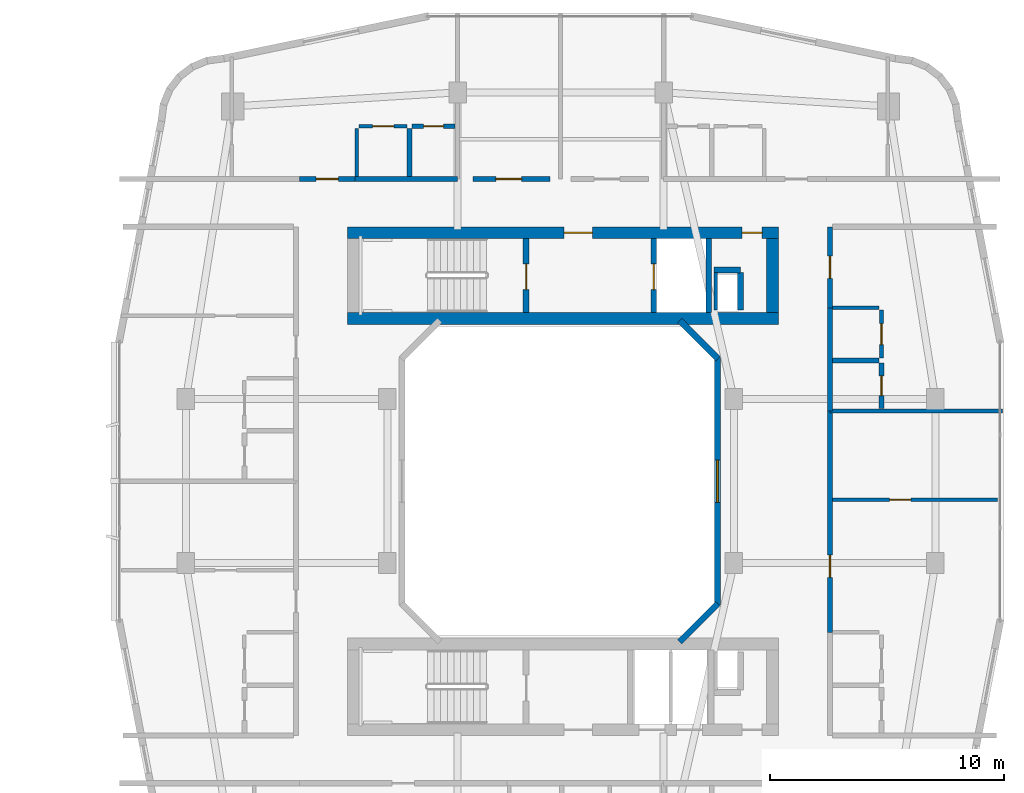
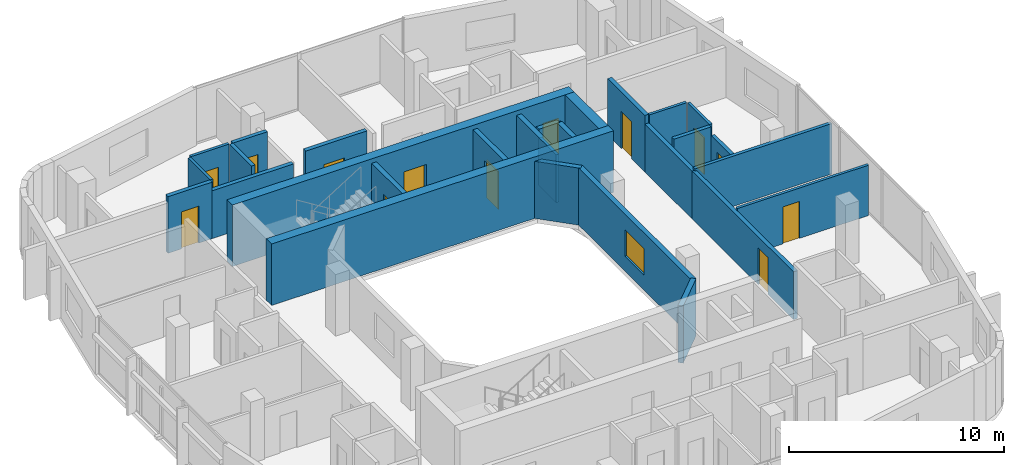
# One storey, part 19 of 26: 28 walls, 13 doors, 1 window, 14 openings.
"""IFC4 building model written with IfcOpenShell, lengths in metres."""

from ifc_helpers import new_model, si_unit, derived_unit, direction, frame, frame_2d, origin, place, context, subcontext, project, spatial, rectangle, extrude, material, layer, layer_set, type_object, element, fill, save


model = new_model("IFC4")

# Units and contexts
model_context = context("Model", 3, precision=1e-05, world=origin(), true_north=direction((0.0, 1.0)))
body_context = subcontext(model_context, "Body", "Model", "MODEL_VIEW")
ifc_project = project(units=[si_unit("LENGTHUNIT", "METRE"), si_unit("AREAUNIT", "SQUARE_METRE"), si_unit("VOLUMEUNIT", "CUBIC_METRE"), si_unit("PLANEANGLEUNIT", "RADIAN"), si_unit("MASSUNIT", "GRAM", prefix="KILO"), derived_unit("THERMALTRANSMITTANCEUNIT", [(si_unit("POWERUNIT", "WATT"), 1), (si_unit("LENGTHUNIT", "METRE"), -2), (si_unit("THERMODYNAMICTEMPERATUREUNIT", "KELVIN"), -1)])], contexts=[model_context])

# Site, building, storey
site_placement = place(None, origin())
site = spatial("IfcSite", under=ifc_project, at=site_placement, CompositionType="ELEMENT")
building_placement = place(site_placement, origin())
building = spatial("IfcBuilding", under=site, at=building_placement, Name="Kivonza Crest Hotel", CompositionType="ELEMENT")
storey_placement = place(building_placement, frame((0.0, 0.0, 66.0)))
storey = spatial("IfcBuildingStorey", under=building, at=storey_placement, Name="L17", CompositionType="ELEMENT", Elevation=66.0)

# Walls
ifc_material_1 = material(Name="High-density acoustic masonry inter-tenancy wall", Category="masonry")
ifc_layer_1 = layer(ifc_material_1, 0.179931640625)
ifc_layer_set_1 = layer_set([ifc_layer_1], Name="High-density acoustic masonry inter-tenancy wall")
wall_type_1 = type_object("IfcWallType", Name="WL-ACOU-180", PredefinedType="SOLIDWALL", material=ifc_layer_set_1)
wall_1_placement = place(storey_placement, frame((88.5, 28.0, 0.0), z_axis=(0.0, 0.0, 1.0), x_axis=(1.0, 0.0, 0.0)))
element("IfcWall", 1, at=wall_1_placement, inside=storey, type_object=wall_type_1, Name="L17 interior partition WA-L17-T2E-DIV1", PredefinedType="SOLIDWALL", context=body_context, shape_type="SweptSolid", body=[
    extrude(rectangle(XDim=7.360107421875, YDim=0.179931640625, at=frame_2d((3.68017578125, 0.0))), origin(), (0.0, 0.0, 1.0), 2.864990234375),
])
ifc_material_2 = material(Name="Autoclaved aerated concrete blockwork", Category="masonry")
ifc_layer_2 = layer(ifc_material_2, 0.219970703125)
ifc_layer_set_2 = layer_set([ifc_layer_2], Name="Autoclaved aerated concrete blockwork")
wall_type_2 = type_object("IfcWallType", Name="WL-ACOU-220", PredefinedType="SOLIDWALL", material=ifc_layer_set_2)
wall_2_placement = place(storey_placement, frame((68.219970703125, 37.89990234375, 0.0), z_axis=(0.0, 0.0, 1.0), x_axis=(1.0, 0.0, 0.0)))
element("IfcWall", 2, at=wall_2_placement, inside=storey, type_object=wall_type_2, Name="L17 interior partition WA-L17-A01-RCORR", PredefinedType="SOLIDWALL", context=body_context, shape_type="SweptSolid", body=[
    extrude(rectangle(XDim=4.380126953125, YDim=0.219970703125, at=frame_2d((2.18994140625, 0.0))), origin(), (0.0, 0.0, 1.0), 2.72509765625),
])

# Wall, opening, door
wall_3_placement = place(storey_placement, frame((65.85009765625, 37.89990234375, 0.0), z_axis=(0.0, 0.0, 1.0), x_axis=(1.0, 0.0, 0.0)))
wall_3 = element("IfcWall", 3, at=wall_3_placement, inside=storey, type_object=wall_type_2, Name="L17 interior partition WA-L17-A01-MCORR", PredefinedType="SOLIDWALL", context=body_context, shape_type="SweptSolid", body=[
    extrude(rectangle(XDim=2.369873046875, YDim=0.219970703125, at=frame_2d((1.18505859375, 0.0))), origin(), (0.0, 0.0, 1.0), 3.219970703125),
])
opening_1_placement = place(wall_3_placement, frame((0.7099609375, 0.0, 0.0)))
opening_1 = element("IfcOpeningElement", 4, at=opening_1_placement, cuts=wall_3, Name="Opening DU-60", PredefinedType="OPENING", context=body_context, shape_type="SweptSolid", body=[
    extrude(rectangle(XDim=0.949951171875, YDim=2.10009765625, at=frame_2d((0.47509765625, 1.050048828125))), frame((0.0, 0.1201171875, 0.0), z_axis=(0.0, -1.0, 0.0), x_axis=(1.0, 0.0, 0.0)), (0.0, 0.0, 1.0), 0.239990234375),
])
ifc_material_3 = material(Name="Hardwood timber oak", Category="wood")
door_type_1 = type_object("IfcDoorType", Name="DR-UNIT-950", OperationType="NOTDEFINED", PredefinedType="DOOR", material=ifc_material_3)
door_1_placement = place(opening_1_placement, origin())
door_1 = element("IfcDoor", 5, at=door_1_placement, inside=storey, type_object=door_type_1, Name="L17 A01 apartment entrance fire door", OperationType="SINGLE_SWING_LEFT", OverallHeight=2.10009765625, OverallWidth=0.949951171875, PredefinedType="DOOR", context=body_context, shape_type="SweptSolid", body=[
    extrude(rectangle(XDim=0.949951171875, YDim=2.10009765625, at=frame_2d((0.47509765625, 1.050048828125))), frame((0.0, 0.02490234375, 0.0), z_axis=(0.0, -1.0, 0.0), x_axis=(1.0, 0.0, 0.0)), (0.0, 0.0, 1.0), 0.050048828125),
])
fill(opening_1, door_1)

wall_4_placement = place(storey_placement, frame((73.25, 37.89990234375, 0.0), z_axis=(0.0, 0.0, 1.0), x_axis=(1.0, 0.0, 0.0)))
wall_4 = element("IfcWall", 6, at=wall_4_placement, inside=storey, type_object=wall_type_2, Name="L17 interior partition WA-L17-T2-OFF1-S", PredefinedType="SOLIDWALL", context=body_context, shape_type="SweptSolid", body=[
    extrude(rectangle(XDim=3.300048828125, YDim=0.219970703125, at=frame_2d((1.64990234375, 0.0))), origin(), (0.0, 0.0, 1.0), 3.219970703125),
])
opening_2_placement = place(wall_4_placement, frame((0.97998046875, 0.0, 0.0)))
opening_2 = element("IfcOpeningElement", 7, at=opening_2_placement, cuts=wall_4, Name="Opening DF-60M", PredefinedType="OPENING", context=body_context, shape_type="SweptSolid", body=[
    extrude(rectangle(XDim=1.10009765625, YDim=2.10009765625, at=frame_2d((0.550048828125, 1.050048828125))), frame((0.0, 0.1201171875, 0.0), z_axis=(0.0, -1.0, 0.0), x_axis=(1.0, 0.0, 0.0)), (0.0, 0.0, 1.0), 0.239990234375),
])
door_type_2 = type_object("IfcDoorType", Name="DR-FD60-1100", OperationType="NOTDEFINED", PredefinedType="DOOR", material=ifc_material_3)
door_2_placement = place(opening_2_placement, origin())
door_2 = element("IfcDoor", 8, at=door_2_placement, inside=storey, type_object=door_type_2, Name="L17 Resident Co-Working Study West door", OperationType="SINGLE_SWING_RIGHT", OverallHeight=2.10009765625, OverallWidth=1.10009765625, PredefinedType="DOOR", context=body_context, shape_type="SweptSolid", body=[
    extrude(rectangle(XDim=1.10009765625, YDim=2.10009765625, at=frame_2d((0.550048828125, 1.050048828125))), frame((0.0, 0.02490234375, 0.0), z_axis=(0.0, -1.0, 0.0), x_axis=(1.0, 0.0, 0.0)), (0.0, 0.0, 1.0), 0.050048828125),
])
fill(opening_2, door_2)

wall_5_placement = place(storey_placement, frame((88.5, 18.5400390625, 0.0), z_axis=(0.0, 0.0, 1.0), x_axis=(0.0, 1.0, 0.0)))
wall_5 = element("IfcWall", 9, at=wall_5_placement, inside=storey, type_object=wall_type_2, Name="L17 interior partition WA-L17-A07-MCORR", PredefinedType="SOLIDWALL", context=body_context, shape_type="SweptSolid", body=[
    extrude(rectangle(XDim=9.4599609375, YDim=0.219970703125, at=frame_2d((4.72998046875, 0.0))), origin(), (0.0, 0.0, 1.0), 2.72509765625),
])
opening_3_placement = place(wall_5_placement, frame((2.35498046875, 0.0, 0.0)))
opening_3 = element("IfcOpeningElement", 10, at=opening_3_placement, cuts=wall_5, Name="Opening DU-60", PredefinedType="OPENING", context=body_context, shape_type="SweptSolid", body=[
    extrude(rectangle(XDim=0.949951171875, YDim=2.10009765625, at=frame_2d((0.47509765625, 1.050048828125))), frame((0.0, 0.1201171875, 0.0), z_axis=(0.0, -1.0, 0.0), x_axis=(1.0, 0.0, 0.0)), (0.0, 0.0, 1.0), 0.239990234375),
])
door_3_placement = place(opening_3_placement, frame((0.949951171875, 0.0, 0.0), z_axis=(0.0, 0.0, 1.0), x_axis=(-1.0, 0.0, 0.0)))
door_3 = element("IfcDoor", 11, at=door_3_placement, inside=storey, type_object=door_type_1, Name="L17 A07 apartment entrance fire door", OperationType="SINGLE_SWING_LEFT", OverallHeight=2.10009765625, OverallWidth=0.949951171875, PredefinedType="DOOR", context=body_context, shape_type="SweptSolid", body=[
    extrude(rectangle(XDim=0.949951171875, YDim=2.10009765625, at=frame_2d((0.47509765625, 1.050048828125))), frame((0.0, 0.02490234375, 0.0), z_axis=(0.0, -1.0, 0.0), x_axis=(1.0, 0.0, 0.0)), (0.0, 0.0, 1.0), 0.050048828125),
])
fill(opening_3, door_3)

# Wall
wall_6_placement = place(storey_placement, frame((88.5, 28.0, 0.0), z_axis=(0.0, 0.0, 1.0), x_axis=(0.0, 1.0, 0.0)))
element("IfcWall", 12, at=wall_6_placement, inside=storey, type_object=wall_type_2, Name="L17 interior partition WA-L17-A08-BCORR", PredefinedType="SOLIDWALL", context=body_context, shape_type="SweptSolid", body=[
    extrude(rectangle(XDim=4.39990234375, YDim=0.219970703125, at=frame_2d((2.199951171875, 0.0))), origin(), (0.0, 0.0, 1.0), 2.72509765625),
])

# Wall, opening, door
wall_7_placement = place(storey_placement, frame((88.5, 32.39990234375, 0.0), z_axis=(0.0, 0.0, 1.0), x_axis=(0.0, 1.0, 0.0)))
wall_7 = element("IfcWall", 13, at=wall_7_placement, inside=storey, type_object=wall_type_2, Name="L17 interior partition WA-L17-A08-MCORR", PredefinedType="SOLIDWALL", context=body_context, shape_type="SweptSolid", body=[
    extrude(rectangle(XDim=3.460205078125, YDim=0.219970703125, at=frame_2d((1.72998046875, 0.0))), origin(), (0.0, 0.0, 1.0), 3.219970703125),
])
opening_4_placement = place(wall_7_placement, frame((1.2548828125, 0.0, 0.0)))
opening_4 = element("IfcOpeningElement", 14, at=opening_4_placement, cuts=wall_7, Name="Opening DU-60", PredefinedType="OPENING", context=body_context, shape_type="SweptSolid", body=[
    extrude(rectangle(XDim=0.949951171875, YDim=2.10009765625, at=frame_2d((0.47509765625, 1.050048828125))), frame((0.0, 0.1201171875, 0.0), z_axis=(0.0, -1.0, 0.0), x_axis=(1.0, 0.0, 0.0)), (0.0, 0.0, 1.0), 0.239990234375),
])
door_4_placement = place(opening_4_placement, frame((0.949951171875, 0.0, 0.0), z_axis=(0.0, 0.0, 1.0), x_axis=(-1.0, 0.0, 0.0)))
door_4 = element("IfcDoor", 15, at=door_4_placement, inside=storey, type_object=door_type_1, Name="L17 A08 apartment entrance fire door", OperationType="SINGLE_SWING_RIGHT", OverallHeight=2.10009765625, OverallWidth=0.949951171875, PredefinedType="DOOR", context=body_context, shape_type="SweptSolid", body=[
    extrude(rectangle(XDim=0.949951171875, YDim=2.10009765625, at=frame_2d((0.47509765625, 1.050048828125))), frame((0.0, 0.02490234375, 0.0), z_axis=(0.0, -1.0, 0.0), x_axis=(1.0, 0.0, 0.0)), (0.0, 0.0, 1.0), 0.050048828125),
])
fill(opening_4, door_4)

# Wall
ifc_material_4 = material(Name="Concrete C60/75", Category="concrete")
ifc_layer_3 = layer(ifc_material_4, 0.5)
ifc_layer_set_3 = layer_set([ifc_layer_3], Name="Concrete C60/75")
wall_type_3 = type_object("IfcWallType", Name="WL-CORE-500", PredefinedType="SHEAR", material=ifc_layer_set_3)
wall_8_placement = place(storey_placement, frame((67.89990234375, 31.949951171875, 0.0), z_axis=(0.0, 0.0, 1.0), x_axis=(1.0, 0.0, 0.0)))
element("IfcWall", 16, at=wall_8_placement, inside=storey, type_object=wall_type_3, Name="Core wall T2-N South L17", PredefinedType="SHEAR", context=body_context, shape_type="SweptSolid", body=[
    extrude(rectangle(XDim=18.400146484375, YDim=0.5, at=frame_2d((9.2001953125, 0.0))), origin(), (0.0, 0.0, 1.0), 3.5),
])

# Wall, openings, doors
wall_9_placement = place(storey_placement, frame((67.89990234375, 35.610107421875, 0.0), z_axis=(0.0, 0.0, 1.0), x_axis=(1.0, 0.0, 0.0)))
wall_9 = element("IfcWall", 17, at=wall_9_placement, inside=storey, type_object=wall_type_3, Name="Core wall T2-N North L17", PredefinedType="SHEAR", context=body_context, shape_type="SweptSolid", body=[
    extrude(rectangle(XDim=18.400146484375, YDim=0.5, at=frame_2d((9.2001953125, 0.0))), origin(), (0.0, 0.0, 1.0), 3.5),
])
opening_5_placement = place(wall_9_placement, frame((9.25, 0.0, 0.0)))
opening_5 = element("IfcOpeningElement", 18, at=opening_5_placement, cuts=wall_9, Name="Opening DF-60", PredefinedType="OPENING", context=body_context, shape_type="SweptSolid", body=[
    extrude(rectangle(XDim=1.199951171875, YDim=2.14990234375, at=frame_2d((0.60009765625, 1.074951171875))), frame((0.0, 0.260009765625, 0.0), z_axis=(0.0, -1.0, 0.0), x_axis=(1.0, 0.0, 0.0)), (0.0, 0.0, 1.0), 0.52001953125),
])
opening_6_placement = place(wall_9_placement, frame((16.85009765625, 0.0, 0.0)))
opening_6 = element("IfcOpeningElement", 19, at=opening_6_placement, cuts=wall_9, Name="Opening DF-60R", PredefinedType="OPENING", context=body_context, shape_type="SweptSolid", body=[
    extrude(rectangle(XDim=0.85009765625, YDim=2.10009765625, at=frame_2d((0.425048828125, 1.050048828125))), frame((0.0, 0.260009765625, 0.0), z_axis=(0.0, -1.0, 0.0), x_axis=(1.0, 0.0, 0.0)), (0.0, 0.0, 1.0), 0.52001953125),
])
door_type_3 = type_object("IfcDoorType", Name="DR-FD60-1200", OperationType="NOTDEFINED", PredefinedType="DOOR", material=ifc_material_3)
door_5_placement = place(opening_5_placement, origin())
door_5 = element("IfcDoor", 20, at=door_5_placement, inside=storey, type_object=door_type_3, Name="L17 T2-N firefighting lobby fire door", OperationType="SINGLE_SWING_RIGHT", OverallHeight=2.14990234375, OverallWidth=1.199951171875, PredefinedType="DOOR", context=body_context, shape_type="SweptSolid", body=[
    extrude(rectangle(XDim=1.199951171875, YDim=2.14990234375, at=frame_2d((0.60009765625, 1.074951171875))), frame((0.0, 0.02490234375, 0.0), z_axis=(0.0, -1.0, 0.0), x_axis=(1.0, 0.0, 0.0)), (0.0, 0.0, 1.0), 0.050048828125),
])
fill(opening_5, door_5)
door_type_4 = type_object("IfcDoorType", Name="DR-FD60-850", OperationType="NOTDEFINED", PredefinedType="DOOR", material=ifc_material_3)
door_6_placement = place(opening_6_placement, origin())
door_6 = element("IfcDoor", 21, at=door_6_placement, inside=storey, type_object=door_type_4, Name="L17 T2-N core room door", OperationType="SINGLE_SWING_RIGHT", OverallHeight=2.10009765625, OverallWidth=0.85009765625, PredefinedType="DOOR", context=body_context, shape_type="SweptSolid", body=[
    extrude(rectangle(XDim=0.85009765625, YDim=2.10009765625, at=frame_2d((0.425048828125, 1.050048828125))), frame((0.0, 0.02490234375, 0.0), z_axis=(0.0, -1.0, 0.0), x_axis=(1.0, 0.0, 0.0)), (0.0, 0.0, 1.0), 0.050048828125),
])
fill(opening_6, door_6)

# Walls
wall_10_placement = place(storey_placement, frame((86.050048828125, 32.199951171875, 0.0), z_axis=(0.0, 0.0, 1.0), x_axis=(0.0, 1.0, 0.0)))
element("IfcWall", 22, at=wall_10_placement, inside=storey, type_object=wall_type_3, Name="Core wall T2-N East L17", PredefinedType="SHEAR", context=body_context, shape_type="SweptSolid", body=[
    extrude(rectangle(XDim=3.16015625, YDim=0.5, at=frame_2d((1.580078125, 0.0))), origin(), (0.0, 0.0, 1.0), 3.5),
])
ifc_material_5 = material(Name="Precast concrete C40/50", Category="concrete")
ifc_layer_4 = layer(ifc_material_5, 0.260009765625)
ifc_layer_set_4 = layer_set([ifc_layer_4], Name="Precast concrete C40/50")
wall_type_4 = type_object("IfcWallType", Name="WL-EXT-260", PredefinedType="STANDARD", material=ifc_layer_set_4)
wall_11_placement = place(storey_placement, frame((82.08203125, 18.137939453125, 0.0), z_axis=(0.0, 0.0, 1.0), x_axis=(0.707106781187, 0.707106781187, 0.0)))
element("IfcWall", 23, at=wall_11_placement, inside=storey, type_object=wall_type_4, Name="L17 T2 light-well exterior wall 2", PredefinedType="STANDARD", context=body_context, shape_type="SweptSolid", body=[
    extrude(rectangle(XDim=2.310791015625, YDim=0.260009765625, at=frame_2d((1.1552734375, 0.0))), origin(), (0.0, 0.0, 1.0), 3.25),
])

# Wall, opening, window
wall_12_placement = place(storey_placement, frame((83.68994140625, 19.7099609375, 0.0), z_axis=(0.0, 0.0, 1.0), x_axis=(0.0, 1.0, 0.0)))
wall_12 = element("IfcWall", 24, at=wall_12_placement, inside=storey, type_object=wall_type_4, Name="L17 T2 light-well exterior wall 3", PredefinedType="STANDARD", context=body_context, shape_type="SweptSolid", body=[
    extrude(rectangle(XDim=10.580078125, YDim=0.260009765625, at=frame_2d((5.2900390625, 0.0))), origin(), (0.0, 0.0, 1.0), 3.25),
])
opening_7_placement = place(wall_12_placement, frame((4.389892578125, 0.0, 0.85009765625)))
opening_7 = element("IfcOpeningElement", 25, at=opening_7_placement, cuts=wall_12, Name="Opening WN-03", PredefinedType="OPENING", context=body_context, shape_type="SweptSolid", body=[
    extrude(rectangle(XDim=1.800048828125, YDim=1.5, at=frame_2d((0.89990234375, 0.75))), frame((0.0, 0.14013671875, 0.0), z_axis=(0.0, -1.0, 0.0), x_axis=(1.0, 0.0, 0.0)), (0.0, 0.0, 1.0), 0.280029296875),
])
ifc_material_6 = material(Name="Thermally broken bronze aluminium and low-E double glazing", Category="aluminium")
window_type = type_object("IfcWindowType", Name="WN-180x150", PartitioningType="DOUBLE_PANEL_VERTICAL", PredefinedType="WINDOW", material=ifc_material_6)
window_placement = place(opening_7_placement, origin())
window = element("IfcWindow", 26, at=window_placement, inside=storey, type_object=window_type, Name="L17 T2 light-well window 3", OverallHeight=1.5, OverallWidth=1.800048828125, PartitioningType="SINGLE_PANEL", PredefinedType="WINDOW", context=body_context, shape_type="SweptSolid", body=[
    extrude(rectangle(XDim=1.800048828125, YDim=1.5, at=frame_2d((0.89990234375, 0.75))), frame((0.0, 0.030029296875, 0.0), z_axis=(0.0, -1.0, 0.0), x_axis=(1.0, 0.0, 0.0)), (0.0, 0.0, 1.0), 0.06005859375),
])
fill(opening_7, window)

# Walls
wall_13_placement = place(storey_placement, frame((83.716064453125, 30.22802734375, 0.0), z_axis=(0.0, 0.0, 1.0), x_axis=(-0.707106781187, 0.707106781187, 0.0)))
element("IfcWall", 27, at=wall_13_placement, inside=storey, type_object=wall_type_4, Name="L17 T2 light-well exterior wall 4", PredefinedType="STANDARD", context=body_context, shape_type="SweptSolid", body=[
    extrude(rectangle(XDim=2.310791015625, YDim=0.260009765625, at=frame_2d((1.1552734375, 0.0))), origin(), (0.0, 0.0, 1.0), 3.25),
])
ifc_material_7 = material(Name="Concrete blockwork fire-compartment wall", Category="masonry")
ifc_layer_5 = layer(ifc_material_7, 0.25)
ifc_layer_set_5 = layer_set([ifc_layer_5], Name="Concrete blockwork fire-compartment wall")
wall_type_5 = type_object("IfcWallType", Name="WL-FIRE-250", PredefinedType="SOLIDWALL", material=ifc_layer_set_5)
wall_14_placement = place(storey_placement, frame((84.679931640625, 32.300048828125, 0.0), z_axis=(0.0, 0.0, 1.0), x_axis=(0.0, 1.0, 0.0)))
element("IfcWall", 28, at=wall_14_placement, inside=storey, type_object=wall_type_5, Name="L17 interior partition WA-L17-T2-N-MEPR-E", PredefinedType="SOLIDWALL", context=body_context, shape_type="SweptSolid", body=[
    extrude(rectangle(XDim=1.619873046875, YDim=0.25, at=frame_2d((0.81005859375, 0.0))), origin(), (0.0, 0.0, 1.0), 3.219970703125),
])
wall_15_placement = place(storey_placement, frame((83.550048828125, 34.02001953125, 0.0), z_axis=(0.0, 0.0, 1.0), x_axis=(1.0, 0.0, 0.0)))
element("IfcWall", 29, at=wall_15_placement, inside=storey, type_object=wall_type_5, Name="L17 interior partition WA-L17-T2-N-MEPR-H", PredefinedType="SOLIDWALL", context=body_context, shape_type="SweptSolid", body=[
    extrude(rectangle(XDim=1.1298828125, YDim=0.25, at=frame_2d((0.56494140625, 0.0))), origin(), (0.0, 0.0, 1.0), 3.219970703125),
])
ifc_material_8 = material(Name="Twin-stud acoustic gypsum board partition", Category="gypsum")
ifc_layer_6 = layer(ifc_material_8, 0.14990234375)
ifc_layer_set_6 = layer_set([ifc_layer_6], Name="Twin-stud acoustic gypsum board partition")
wall_type_6 = type_object("IfcWallType", Name="WL-PART-150", PredefinedType="PARTITIONING", material=ifc_layer_set_6)
wall_16_placement = place(storey_placement, frame((83.6298828125, 32.300048828125, 0.0), z_axis=(0.0, 0.0, 1.0), x_axis=(0.0, 1.0, 0.0)))
element("IfcWall", 30, at=wall_16_placement, inside=storey, type_object=wall_type_6, Name="L17 interior partition WA-L17-T2-N-MEPR-W", PredefinedType="PARTITIONING", context=body_context, shape_type="SweptSolid", body=[
    extrude(rectangle(XDim=1.619873046875, YDim=0.14990234375, at=frame_2d((0.81005859375, 0.0))), origin(), (0.0, 0.0, 1.0), 2.72509765625),
])
wall_17_placement = place(storey_placement, frame((68.300048828125, 38.0, 0.0), z_axis=(0.0, 0.0, 1.0), x_axis=(0.0, 1.0, 0.0)))
element("IfcWall", 31, at=wall_17_placement, inside=storey, type_object=wall_type_6, Name="L17 interior partition WP-L17-A01-KF", PredefinedType="PARTITIONING", context=body_context, shape_type="SweptSolid", body=[
    extrude(rectangle(XDim=2.050048828125, YDim=0.14990234375, at=frame_2d((1.02490234375, 0.0))), origin(), (0.0, 0.0, 1.0), 3.219970703125),
])

# Wall, opening, door
wall_18_placement = place(storey_placement, frame((68.39990234375, 40.14990234375, 0.0), z_axis=(0.0, 0.0, 1.0), x_axis=(1.0, 0.0, 0.0)))
wall_18 = element("IfcWall", 32, at=wall_18_placement, inside=storey, type_object=wall_type_6, Name="L17 interior partition WP-L17-A01-KSVC", PredefinedType="PARTITIONING", context=body_context, shape_type="SweptSolid", body=[
    extrude(rectangle(XDim=2.050048828125, YDim=0.14990234375, at=frame_2d((1.02490234375, 0.0))), origin(), (0.0, 0.0, 1.0), 3.219970703125),
])
opening_8_placement = place(wall_18_placement, frame((0.574951171875, 0.0, 0.0)))
opening_8 = element("IfcOpeningElement", 33, at=opening_8_placement, cuts=wall_18, Name="Opening DI-90", PredefinedType="OPENING", context=body_context, shape_type="SweptSolid", body=[
    extrude(rectangle(XDim=0.89990234375, YDim=2.10009765625, at=frame_2d((0.449951171875, 1.050048828125))), frame((0.0, 0.0849609375, 0.0), z_axis=(0.0, -1.0, 0.0), x_axis=(1.0, 0.0, 0.0)), (0.0, 0.0, 1.0), 0.169921875),
])
door_type_5 = type_object("IfcDoorType", Name="DR-INT-900", OperationType="NOTDEFINED", PredefinedType="DOOR", material=ifc_material_3)
door_7_placement = place(opening_8_placement, origin())
door_7 = element("IfcDoor", 34, at=door_7_placement, inside=storey, type_object=door_type_5, Name="L17 A01 apartment kitchen door", OperationType="SINGLE_SWING_LEFT", OverallHeight=2.10009765625, OverallWidth=0.89990234375, PredefinedType="DOOR", context=body_context, shape_type="SweptSolid", body=[
    extrude(rectangle(XDim=0.89990234375, YDim=2.10009765625, at=frame_2d((0.449951171875, 1.050048828125))), frame((0.0, 0.02490234375, 0.0), z_axis=(0.0, -1.0, 0.0), x_axis=(1.0, 0.0, 0.0)), (0.0, 0.0, 1.0), 0.050048828125),
])
fill(opening_8, door_7)

wall_19_placement = place(storey_placement, frame((88.60009765625, 24.199951171875, 0.0), z_axis=(0.0, 0.0, 1.0), x_axis=(1.0, 0.0, 0.0)))
wall_19 = element("IfcWall", 35, at=wall_19_placement, inside=storey, type_object=wall_type_6, Name="L17 interior partition WP-L17-A07-BD1", PredefinedType="PARTITIONING", context=body_context, shape_type="SweptSolid", body=[
    extrude(rectangle(XDim=7.059814453125, YDim=0.14990234375, at=frame_2d((3.52978515625, 0.0))), origin(), (0.0, 0.0, 1.0), 2.864990234375),
])
opening_9_placement = place(wall_19_placement, frame((2.449951171875, 0.0, 0.0)))
opening_9 = element("IfcOpeningElement", 36, at=opening_9_placement, cuts=wall_19, Name="Opening DI-90", PredefinedType="OPENING", context=body_context, shape_type="SweptSolid", body=[
    extrude(rectangle(XDim=0.89990234375, YDim=2.10009765625, at=frame_2d((0.449951171875, 1.050048828125))), frame((0.0, 0.0849609375, 0.0), z_axis=(0.0, -1.0, 0.0), x_axis=(1.0, 0.0, 0.0)), (0.0, 0.0, 1.0), 0.169921875),
])
door_8_placement = place(opening_9_placement, origin())
door_8 = element("IfcDoor", 37, at=door_8_placement, inside=storey, type_object=door_type_5, Name="L17 A07 bedroom door", OperationType="SINGLE_SWING_RIGHT", OverallHeight=2.10009765625, OverallWidth=0.89990234375, PredefinedType="DOOR", context=body_context, shape_type="SweptSolid", body=[
    extrude(rectangle(XDim=0.89990234375, YDim=2.10009765625, at=frame_2d((0.449951171875, 1.050048828125))), frame((0.0, 0.02490234375, 0.0), z_axis=(0.0, -1.0, 0.0), x_axis=(1.0, 0.0, 0.0)), (0.0, 0.0, 1.0), 0.050048828125),
])
fill(opening_9, door_8)

# Wall
wall_20_placement = place(storey_placement, frame((88.60009765625, 32.39990234375, 0.0), z_axis=(0.0, 0.0, 1.0), x_axis=(1.0, 0.0, 0.0)))
element("IfcWall", 38, at=wall_20_placement, inside=storey, type_object=wall_type_6, Name="L17 interior partition WP-L17-A08-KF", PredefinedType="PARTITIONING", context=body_context, shape_type="SweptSolid", body=[
    extrude(rectangle(XDim=2.0, YDim=0.14990234375, at=frame_2d((1.0, 0.0))), origin(), (0.0, 0.0, 1.0), 3.219970703125),
])

# Wall, opening, door
wall_21_placement = place(storey_placement, frame((90.699951171875, 30.25, 0.0), z_axis=(0.0, 0.0, 1.0), x_axis=(0.0, 1.0, 0.0)))
wall_21 = element("IfcWall", 39, at=wall_21_placement, inside=storey, type_object=wall_type_6, Name="L17 interior partition WP-L17-A08-KSVC", PredefinedType="PARTITIONING", context=body_context, shape_type="SweptSolid", body=[
    extrude(rectangle(XDim=2.050048828125, YDim=0.14990234375, at=frame_2d((1.02490234375, 0.0))), origin(), (0.0, 0.0, 1.0), 3.219970703125),
])
opening_10_placement = place(wall_21_placement, frame((0.574951171875, 0.0, 0.0)))
opening_10 = element("IfcOpeningElement", 40, at=opening_10_placement, cuts=wall_21, Name="Opening DI-90", PredefinedType="OPENING", context=body_context, shape_type="SweptSolid", body=[
    extrude(rectangle(XDim=0.89990234375, YDim=2.10009765625, at=frame_2d((0.449951171875, 1.050048828125))), frame((0.0, 0.0849609375, 0.0), z_axis=(0.0, -1.0, 0.0), x_axis=(1.0, 0.0, 0.0)), (0.0, 0.0, 1.0), 0.169921875),
])
door_9_placement = place(opening_10_placement, frame((0.89990234375, 0.0, 0.0), z_axis=(0.0, 0.0, 1.0), x_axis=(-1.0, 0.0, 0.0)))
door_9 = element("IfcDoor", 41, at=door_9_placement, inside=storey, type_object=door_type_5, Name="L17 A08 apartment kitchen door", OperationType="SINGLE_SWING_RIGHT", OverallHeight=2.10009765625, OverallWidth=0.89990234375, PredefinedType="DOOR", context=body_context, shape_type="SweptSolid", body=[
    extrude(rectangle(XDim=0.89990234375, YDim=2.10009765625, at=frame_2d((0.449951171875, 1.050048828125))), frame((0.0, 0.02490234375, 0.0), z_axis=(0.0, -1.0, 0.0), x_axis=(1.0, 0.0, 0.0)), (0.0, 0.0, 1.0), 0.050048828125),
])
fill(opening_10, door_9)

# Wall
ifc_material_9 = material(Name="Moisture-resistant plumbing chase partition wall", Category="gypsum")
ifc_layer_7 = layer(ifc_material_9, 0.199951171875)
ifc_layer_set_7 = layer_set([ifc_layer_7], Name="Moisture-resistant plumbing chase partition wall")
wall_type_7 = type_object("IfcWallType", Name="WL-PLUMB-200", PredefinedType="PLUMBINGWALL", material=ifc_layer_set_7)
wall_22_placement = place(storey_placement, frame((70.550048828125, 38.0, 0.0), z_axis=(0.0, 0.0, 1.0), x_axis=(0.0, 1.0, 0.0)))
element("IfcWall", 42, at=wall_22_placement, inside=storey, type_object=wall_type_7, Name="L17 interior partition WW-L17-A01-BK", PredefinedType="PLUMBINGWALL", context=body_context, shape_type="SweptSolid", body=[
    extrude(rectangle(XDim=2.050048828125, YDim=0.199951171875, at=frame_2d((1.02490234375, 0.0))), origin(), (0.0, 0.0, 1.0), 3.219970703125),
])

# Wall, opening, door
wall_23_placement = place(storey_placement, frame((70.64990234375, 40.14990234375, 0.0), z_axis=(0.0, 0.0, 1.0), x_axis=(1.0, 0.0, 0.0)))
wall_23 = element("IfcWall", 43, at=wall_23_placement, inside=storey, type_object=wall_type_7, Name="L17 interior partition WW-L17-A01-BSVC", PredefinedType="PLUMBINGWALL", context=body_context, shape_type="SweptSolid", body=[
    extrude(rectangle(XDim=1.85009765625, YDim=0.199951171875, at=frame_2d((0.925048828125, 0.0))), origin(), (0.0, 0.0, 1.0), 3.219970703125),
])
opening_11_placement = place(wall_23_placement, frame((0.5, 0.0, 0.0)))
opening_11 = element("IfcOpeningElement", 44, at=opening_11_placement, cuts=wall_23, Name="Opening DI-85", PredefinedType="OPENING", context=body_context, shape_type="SweptSolid", body=[
    extrude(rectangle(XDim=0.85009765625, YDim=2.10009765625, at=frame_2d((0.425048828125, 1.050048828125))), frame((0.0, 0.10986328125, 0.0), z_axis=(0.0, -1.0, 0.0), x_axis=(1.0, 0.0, 0.0)), (0.0, 0.0, 1.0), 0.219970703125),
])
door_type_6 = type_object("IfcDoorType", Name="DR-INT-850", OperationType="NOTDEFINED", PredefinedType="DOOR", material=ifc_material_3)
door_10_placement = place(opening_11_placement, origin())
door_10 = element("IfcDoor", 45, at=door_10_placement, inside=storey, type_object=door_type_6, Name="L17 A01 apartment bathroom door", OperationType="SINGLE_SWING_RIGHT", OverallHeight=2.10009765625, OverallWidth=0.85009765625, PredefinedType="DOOR", context=body_context, shape_type="SweptSolid", body=[
    extrude(rectangle(XDim=0.85009765625, YDim=2.10009765625, at=frame_2d((0.425048828125, 1.050048828125))), frame((0.0, 0.02490234375, 0.0), z_axis=(0.0, -1.0, 0.0), x_axis=(1.0, 0.0, 0.0)), (0.0, 0.0, 1.0), 0.050048828125),
])
fill(opening_11, door_10)

# Wall
wall_24_placement = place(storey_placement, frame((88.60009765625, 30.14990234375, 0.0), z_axis=(0.0, 0.0, 1.0), x_axis=(1.0, 0.0, 0.0)))
element("IfcWall", 46, at=wall_24_placement, inside=storey, type_object=wall_type_7, Name="L17 interior partition WW-L17-A08-BK", PredefinedType="PLUMBINGWALL", context=body_context, shape_type="SweptSolid", body=[
    extrude(rectangle(XDim=2.0, YDim=0.199951171875, at=frame_2d((1.0, 0.0))), origin(), (0.0, 0.0, 1.0), 3.219970703125),
])

# Wall, opening, door
wall_25_placement = place(storey_placement, frame((90.699951171875, 28.10009765625, 0.0), z_axis=(0.0, 0.0, 1.0), x_axis=(0.0, 1.0, 0.0)))
wall_25 = element("IfcWall", 47, at=wall_25_placement, inside=storey, type_object=wall_type_7, Name="L17 interior partition WW-L17-A08-BSVC", PredefinedType="PLUMBINGWALL", context=body_context, shape_type="SweptSolid", body=[
    extrude(rectangle(XDim=1.949951171875, YDim=0.199951171875, at=frame_2d((0.97509765625, 0.0))), origin(), (0.0, 0.0, 1.0), 2.72509765625),
])
opening_12_placement = place(wall_25_placement, frame((0.550048828125, 0.0, 0.0)))
opening_12 = element("IfcOpeningElement", 48, at=opening_12_placement, cuts=wall_25, Name="Opening DI-85", PredefinedType="OPENING", context=body_context, shape_type="SweptSolid", body=[
    extrude(rectangle(XDim=0.85009765625, YDim=2.10009765625, at=frame_2d((0.425048828125, 1.050048828125))), frame((0.0, 0.10986328125, 0.0), z_axis=(0.0, -1.0, 0.0), x_axis=(1.0, 0.0, 0.0)), (0.0, 0.0, 1.0), 0.219970703125),
])
door_11_placement = place(opening_12_placement, frame((0.85009765625, 0.0, 0.0), z_axis=(0.0, 0.0, 1.0), x_axis=(-1.0, 0.0, 0.0)))
door_11 = element("IfcDoor", 49, at=door_11_placement, inside=storey, type_object=door_type_6, Name="L17 A08 apartment bathroom door", OperationType="SINGLE_SWING_LEFT", OverallHeight=2.10009765625, OverallWidth=0.85009765625, PredefinedType="DOOR", context=body_context, shape_type="SweptSolid", body=[
    extrude(rectangle(XDim=0.85009765625, YDim=2.10009765625, at=frame_2d((0.425048828125, 1.050048828125))), frame((0.0, 0.02490234375, 0.0), z_axis=(0.0, -1.0, 0.0), x_axis=(1.0, 0.0, 0.0)), (0.0, 0.0, 1.0), 0.050048828125),
])
fill(opening_12, door_11)

ifc_material_10 = material(Name="Concrete C50/60", Category="concrete")
ifc_layer_8 = layer(ifc_material_10, 0.25)
ifc_layer_set_8 = layer_set([ifc_layer_8], Name="Concrete C50/60")
wall_type_8 = type_object("IfcWallType", Name="WL-SHAFT-250", PredefinedType="STANDARD", material=ifc_layer_set_8)
wall_26_placement = place(storey_placement, frame((75.52490234375, 32.199951171875, 0.0), z_axis=(0.0, 0.0, 1.0), x_axis=(0.0, 1.0, 0.0)))
wall_26 = element("IfcWall", 50, at=wall_26_placement, inside=storey, type_object=wall_type_8, Name="Core shaft wall T2-N STAIR L17", PredefinedType="STANDARD", context=body_context, shape_type="SweptSolid", body=[
    extrude(rectangle(XDim=3.16015625, YDim=0.25, at=frame_2d((1.580078125, 0.0))), origin(), (0.0, 0.0, 1.0), 3.25),
])
opening_13_placement = place(wall_26_placement, frame((0.97998046875, 0.0, 0.0)))
opening_13 = element("IfcOpeningElement", 51, at=opening_13_placement, cuts=wall_26, Name="Opening DF-120", PredefinedType="OPENING", context=body_context, shape_type="SweptSolid", body=[
    extrude(rectangle(XDim=1.10009765625, YDim=2.14990234375, at=frame_2d((0.550048828125, 1.074951171875))), frame((0.0, 0.135009765625, 0.0), z_axis=(0.0, -1.0, 0.0), x_axis=(1.0, 0.0, 0.0)), (0.0, 0.0, 1.0), 0.27001953125),
])
ifc_material_11 = material(Name="Galvanised steel", Category="steel")
door_type_7 = type_object("IfcDoorType", Name="DR-FD120-1100", OperationType="NOTDEFINED", PredefinedType="DOOR", material=ifc_material_11)
door_12_placement = place(opening_13_placement, frame((1.10009765625, 0.0, 0.0), z_axis=(0.0, 0.0, 1.0), x_axis=(-1.0, 0.0, 0.0)))
door_12 = element("IfcDoor", 52, at=door_12_placement, inside=storey, type_object=door_type_7, Name="L17 T2-N stair fire door", OperationType="SINGLE_SWING_LEFT", OverallHeight=2.14990234375, OverallWidth=1.10009765625, PredefinedType="DOOR", context=body_context, shape_type="SweptSolid", body=[
    extrude(rectangle(XDim=1.10009765625, YDim=2.14990234375, at=frame_2d((0.550048828125, 1.074951171875))), frame((0.0, 0.02490234375, 0.0), z_axis=(0.0, -1.0, 0.0), x_axis=(1.0, 0.0, 0.0)), (0.0, 0.0, 1.0), 0.050048828125),
])
fill(opening_13, door_12)

wall_27_placement = place(storey_placement, frame((80.97509765625, 32.199951171875, 0.0), z_axis=(0.0, 0.0, 1.0), x_axis=(0.0, 1.0, 0.0)))
wall_27 = element("IfcWall", 53, at=wall_27_placement, inside=storey, type_object=wall_type_8, Name="Core shaft wall T2-N FFL-W L17", PredefinedType="STANDARD", context=body_context, shape_type="SweptSolid", body=[
    extrude(rectangle(XDim=3.16015625, YDim=0.25, at=frame_2d((1.580078125, 0.0))), origin(), (0.0, 0.0, 1.0), 3.25),
])
opening_14_placement = place(wall_27_placement, frame((0.97998046875, 0.0, 0.0)))
opening_14 = element("IfcOpeningElement", 54, at=opening_14_placement, cuts=wall_27, Name="Opening LD-120", PredefinedType="OPENING", context=body_context, shape_type="SweptSolid", body=[
    extrude(rectangle(XDim=1.10009765625, YDim=2.14990234375, at=frame_2d((0.550048828125, 1.074951171875))), frame((0.0, 0.135009765625, 0.0), z_axis=(0.0, -1.0, 0.0), x_axis=(1.0, 0.0, 0.0)), (0.0, 0.0, 1.0), 0.27001953125),
])
ifc_material_12 = material(Name="Stainless steel", Category="steel")
door_type_8 = type_object("IfcDoorType", Name="DR-LD120-1100", OperationType="NOTDEFINED", PredefinedType="DOOR", material=ifc_material_12)
door_13_placement = place(opening_14_placement, origin())
door_13 = element("IfcDoor", 55, at=door_13_placement, inside=storey, type_object=door_type_8, Name="L17 FFL-T2 firefighting lift sliding landing door", OperationType="DOUBLE_DOOR_SLIDING", OverallHeight=2.14990234375, OverallWidth=1.10009765625, PredefinedType="DOOR", context=body_context, shape_type="SweptSolid", body=[
    extrude(rectangle(XDim=1.10009765625, YDim=2.14990234375, at=frame_2d((0.550048828125, 1.074951171875))), frame((0.0, 0.02490234375, 0.0), z_axis=(0.0, -1.0, 0.0), x_axis=(1.0, 0.0, 0.0)), (0.0, 0.0, 1.0), 0.050048828125),
])
fill(opening_14, door_13)

# Wall
wall_28_placement = place(storey_placement, frame((83.324951171875, 32.199951171875, 0.0), z_axis=(0.0, 0.0, 1.0), x_axis=(0.0, 1.0, 0.0)))
element("IfcWall", 56, at=wall_28_placement, inside=storey, type_object=wall_type_8, Name="Core shaft wall T2-N FFL-E L17", PredefinedType="STANDARD", context=body_context, shape_type="SweptSolid", body=[
    extrude(rectangle(XDim=3.16015625, YDim=0.25, at=frame_2d((1.580078125, 0.0))), origin(), (0.0, 0.0, 1.0), 3.25),
])

save(model, "model.ifc")
